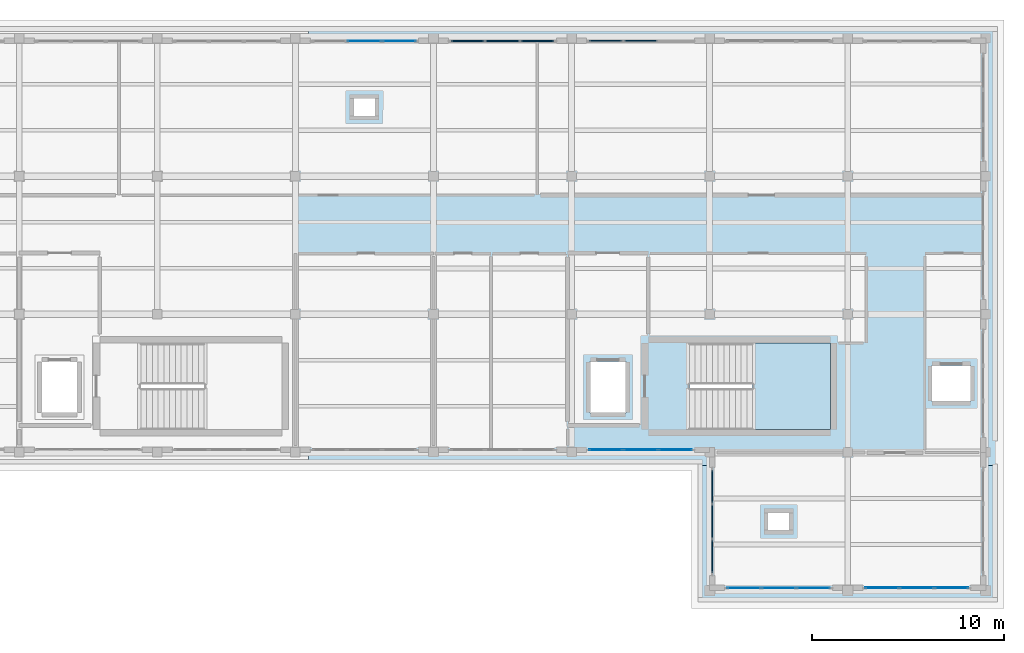
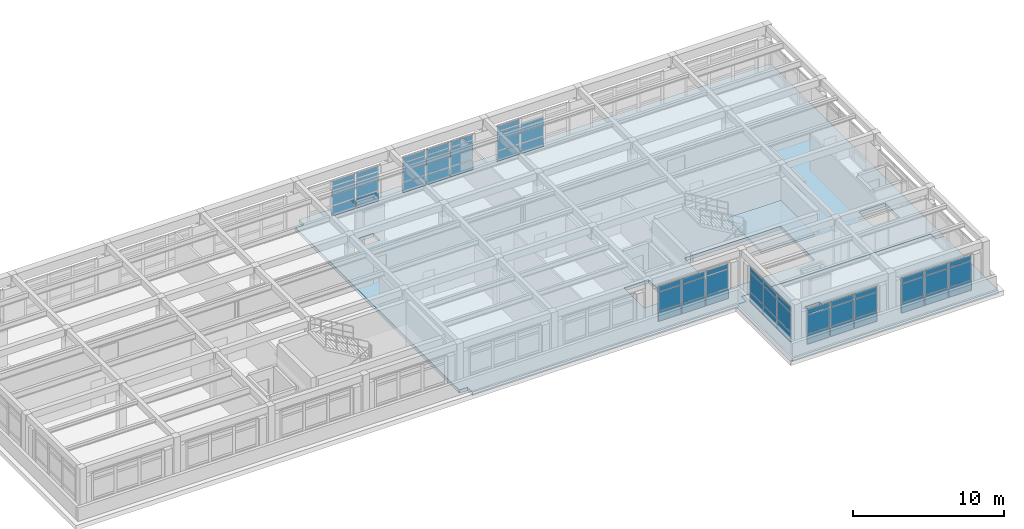
# One storey, part 13 of 20: 56 plates, 3 slabs, 8 elements without a shape of their own.
"""IFC4 building model written with IfcOpenShell, lengths in metres."""

import ifcopenshell
import ifcopenshell.guid

model = None  # the IFC model being written
_history = None  # IfcOwnerHistory: only IFC2X3 demands one
_inside = {}  # id of a spatial element -> (the spatial element, [elements in it])
_under = {}  # id of a project, library or spatial element -> (it, [spatial elements below it])
_declared = {}  # id of a project -> (the project, [libraries it declares])
_typed = {}  # id of a type object -> (the type object, [elements of that type])
_made_of = {}  # id of a material, layer set ... -> (it, [elements and type objects made of it])


def new_model(schema):
    """Start an empty IFC model of exactly this schema.

    Asked for "IFC4X3", IfcOpenShell would pick the latest addendum, in which some entities
    have other attributes; the version numbers below select the first issue.
    IFC2X3 requires an IfcOwnerHistory on every rooted entity: one is made here for all.
    """
    global model, _history
    if schema == "IFC4X3":
        model = ifcopenshell.file(schema_version=(4, 3, 0, 0))
    else:
        model = ifcopenshell.file(schema=schema)
    _inside.clear()
    _under.clear()
    _declared.clear()
    _typed.clear()
    _made_of.clear()
    _history = None
    if model.schema == "IFC2X3":
        org = make("IfcOrganization", Name="unknown")
        user = make(
            "IfcPersonAndOrganization",
            ThePerson=make("IfcPerson", FamilyName="unknown"),
            TheOrganization=org,
        )
        app = make(
            "IfcApplication",
            ApplicationDeveloper=org,
            Version="unknown",
            ApplicationFullName="unknown",
            ApplicationIdentifier="unknown",
        )
        _history = make(
            "IfcOwnerHistory",
            OwningUser=user,
            OwningApplication=app,
            ChangeAction="ADDED",
            CreationDate=0,
        )
    return model


def make(cls, **values):
    """One entity of the class cls with the attributes given. An attribute that is None is left unset."""
    return model.create_entity(
        cls, **{name: value for name, value in values.items() if value is not None}
    )


def rooted(cls, **values):
    """An entity with a GlobalId (a new one), such as an element, a storey or a relation."""
    return make(cls, GlobalId=ifcopenshell.guid.new(), OwnerHistory=_history, **values)


def si_unit(unit_type, name, prefix=None):
    """IfcSIUnit, for example si_unit("LENGTHUNIT", "METRE", prefix="MILLI")."""
    return make("IfcSIUnit", UnitType=unit_type, Prefix=prefix, Name=name)


def assignment(units):
    """IfcUnitAssignment: the units of a project."""
    return None if units is None else make("IfcUnitAssignment", Units=units)


def point(xyz):
    """IfcCartesianPoint."""
    return None if xyz is None else make("IfcCartesianPoint", Coordinates=xyz)


def direction(xyz):
    """IfcDirection."""
    return None if xyz is None else make("IfcDirection", DirectionRatios=xyz)


def frame(location, z_axis=None, x_axis=None):
    """IfcAxis2Placement3D, a coordinate frame: its origin and axes. An axis left out is left unset."""
    return make(
        "IfcAxis2Placement3D",
        Location=point(location),
        Axis=direction(z_axis),
        RefDirection=direction(x_axis),
    )


def frame_2d(location, x_axis=None):
    """IfcAxis2Placement2D, a coordinate frame in the plane: its origin and x axis."""
    return make(
        "IfcAxis2Placement2D", Location=point(location), RefDirection=direction(x_axis)
    )


def origin():
    """The frame at (0, 0, 0) with its axes left unset."""
    return frame((0.0, 0.0, 0.0))


def origin_2d():
    """The frame at (0, 0) in the plane with its x axis left unset."""
    return frame_2d((0.0, 0.0))


def place(relative_to, where):
    """IfcLocalPlacement: puts the frame where relative to a parent placement (None: the world)."""
    return make(
        "IfcLocalPlacement", PlacementRelTo=relative_to, RelativePlacement=where
    )


def context(
    kind, dimensions, precision=None, world=None, true_north=None, identifier=None
):
    """IfcGeometricRepresentationContext, for example the 3D "Model" context."""
    return make(
        "IfcGeometricRepresentationContext",
        ContextIdentifier=identifier,
        ContextType=kind,
        CoordinateSpaceDimension=dimensions,
        Precision=precision,
        WorldCoordinateSystem=world,
        TrueNorth=true_north,
    )


def subcontext(parent, identifier, kind, view, scale=None):
    """IfcGeometricRepresentationSubContext, for example "Body" below "Model"."""
    return make(
        "IfcGeometricRepresentationSubContext",
        ContextIdentifier=identifier,
        ContextType=kind,
        ParentContext=parent,
        TargetScale=scale,
        TargetView=view,
    )


def project(units=None, contexts=None):
    """IfcProject with its units and contexts."""
    return rooted(
        "IfcProject",
        Name="project",
        RepresentationContexts=contexts,
        UnitsInContext=assignment(units),
    )


def spatial(cls, under=None, at=None, **own):
    """A site, building, storey or space (cls), placed at a placement, below another one or the project."""
    s = rooted(cls, ObjectPlacement=at, **own)
    if under is not None:
        _under.setdefault(under.id(), (under, []))[1].append(s)
    return s


def polyline(points):
    """IfcPolyline through the points."""
    return make("IfcPolyline", Points=[point(p) for p in points])


def profile(cls, at=None, kind="AREA", **sizes):
    """A parametric profile (cls). Its sizes go by their IFC names, for example OverallWidth=200.0."""
    return make(cls, ProfileType=kind, Position=at, **sizes)


def rectangle(**sizes):
    """IfcRectangleProfileDef."""
    return profile("IfcRectangleProfileDef", **sizes)


def outline(outer, holes=None, kind="AREA"):
    """IfcArbitraryClosedProfileDef: a profile drawn as a closed curve; with holes, ...WithVoids."""
    if holes is None:
        return make("IfcArbitraryClosedProfileDef", ProfileType=kind, OuterCurve=outer)
    return make(
        "IfcArbitraryProfileDefWithVoids",
        ProfileType=kind,
        OuterCurve=outer,
        InnerCurves=holes,
    )


def extrude(swept, where, along, depth):
    """IfcExtrudedAreaSolid: the profile swept, set in the frame where, extruded along a direction by depth."""
    return make(
        "IfcExtrudedAreaSolid",
        SweptArea=swept,
        Position=where,
        ExtrudedDirection=direction(along),
        Depth=depth,
    )


def shape(context_of_items, identifier, shape_type, items):
    """IfcShapeRepresentation: the items that make up one representation, for example the "Body"."""
    return make(
        "IfcShapeRepresentation",
        ContextOfItems=context_of_items,
        RepresentationIdentifier=identifier,
        RepresentationType=shape_type,
        Items=items,
    )


def material(Name=None, Category=None):
    """IfcMaterial."""
    return make("IfcMaterial", Name=Name, Category=Category)


def layer(
    of_material, thickness, ventilated=None, Name=None, Category=None, Priority=None
):
    """IfcMaterialLayer: one layer of a wall or slab, of a material (None: an air gap)."""
    return make(
        "IfcMaterialLayer",
        Material=of_material,
        LayerThickness=thickness,
        IsVentilated=ventilated,
        Name=Name,
        Category=Category,
        Priority=Priority,
    )


def layer_set(layers, Name=None):
    """IfcMaterialLayerSet."""
    return make("IfcMaterialLayerSet", MaterialLayers=layers, LayerSetName=Name)


def made_of(thing, what):
    """Note that an element or type object is made of a material, layer set ...; save() writes the relation."""
    if what is not None:
        _made_of.setdefault(what.id(), (what, []))[1].append(thing)
    return thing


def type_object(cls, material=None, **own):
    """A type object (cls), such as IfcWallType, which elements share."""
    return made_of(rooted(cls, **own), material)


def element(
    cls,
    number,
    at=None,
    inside=None,
    cuts=None,
    type_object=None,
    material=None,
    context=None,
    identifier="Body",
    shape_type=None,
    held_by="IfcProductDefinitionShape",
    body=None,
    shapes=None,
    **own,
):
    """One element of the class cls, such as IfcWall. Its Tag is "e" and its number.

    at: its placement. inside: the storey or other place that contains it. cuts: it is an
    opening in that element (IfcRelVoidsElement). A single representation is given by context,
    identifier, shape_type and body (its items); several are given by shapes. held_by: the class
    of the entity that holds the representations. save() writes the other relations.
    """
    e = rooted(cls, Tag="e%d" % number, ObjectPlacement=at, **own)
    if body is not None:
        shapes = [shape(context, identifier, shape_type, body)]
    if shapes is not None:
        e.Representation = make(held_by, Representations=shapes)
    if inside is not None:
        _inside.setdefault(inside.id(), (inside, []))[1].append(e)
    if cuts is not None:
        rooted(
            "IfcRelVoidsElement", RelatingBuildingElement=cuts, RelatedOpeningElement=e
        )
    if type_object is not None:
        _typed.setdefault(type_object.id(), (type_object, []))[1].append(e)
    return made_of(e, material)


def aggregate(whole, parts):
    """IfcRelAggregates: a whole, such as a stair, and the parts it consists of."""
    return rooted("IfcRelAggregates", RelatingObject=whole, RelatedObjects=parts)


def save(model, path):
    """Write the relations noted so far, then the file.

    IfcRelAggregates (storeys below a building ...), IfcRelContainedInSpatialStructure (elements
    in a storey), IfcRelDefinesByType, IfcRelAssociatesMaterial and IfcRelDeclares: one each for
    every whole, place, type object, material and project.
    """
    for whole, parts in _under.values():
        aggregate(whole, parts)
    for where, things in _inside.values():
        rooted(
            "IfcRelContainedInSpatialStructure",
            RelatedElements=things,
            RelatingStructure=where,
        )
    for kind, things in _typed.values():
        rooted("IfcRelDefinesByType", RelatedObjects=things, RelatingType=kind)
    for what, things in _made_of.values():
        rooted("IfcRelAssociatesMaterial", RelatedObjects=things, RelatingMaterial=what)
    for by, libraries in _declared.values():
        rooted("IfcRelDeclares", RelatingContext=by, RelatedDefinitions=libraries)
    model.write(path)


model = new_model("IFC4")

# Units and contexts
model_context = context("Model", 3, precision=1e-05, world=origin(), true_north=direction((0.0, 1.0)))
body_context = subcontext(model_context, "Body", "Model", "MODEL_VIEW")
ifc_project = project(units=[si_unit("LENGTHUNIT", "METRE"), si_unit("AREAUNIT", "SQUARE_METRE"), si_unit("VOLUMEUNIT", "CUBIC_METRE"), si_unit("PLANEANGLEUNIT", "RADIAN"), si_unit("MASSUNIT", "GRAM", prefix="KILO")], contexts=[model_context])

# Site, building, storey
site_placement = place(None, origin())
site = spatial("IfcSite", under=ifc_project, at=site_placement, CompositionType="ELEMENT")
building_placement = place(site_placement, origin())
building = spatial("IfcBuilding", under=site, at=building_placement, Name="Solenvale Faculty of Natural Sciences", CompositionType="ELEMENT")
storey_placement = place(building_placement, frame((0.0, 0.0, 35.39990234375)))
storey = spatial("IfcBuildingStorey", under=building, at=storey_placement, Name="L08", CompositionType="ELEMENT", Elevation=35.39990234375)

# Curtain wall, plates
ifc_material_1 = material(Name="Anodised bronze aluminium", Category="aluminium")
ifc_layer_1 = layer(ifc_material_1, 0.179931640625)
ifc_layer_set_1 = layer_set([ifc_layer_1], Name="Anodised bronze aluminium")
curtain_wall_type = type_object("IfcCurtainWallType", Name="CW-TWR-MOD", PredefinedType="USERDEFINED", material=ifc_layer_set_1)
curtain_wall_1_placement = place(storey_placement, origin())
curtain_wall_1 = element("IfcCurtainWall", 1, at=curtain_wall_1_placement, inside=storey, type_object=curtain_wall_type, Name="L08 Curtain Wall CW-L08-P1-E2-B5", ObjectType="UNITISED CURTAIN WALL", PredefinedType="USERDEFINED")
ifc_material_2 = material(Name="North-light skylight glass", Category="glass")
ifc_layer_2 = layer(ifc_material_2, 0.028076171875)
ifc_layer_set_2 = layer_set([ifc_layer_2], Name="North-light skylight glass")
plate_type_1 = type_object("IfcPlateType", Name="CWP-PNL-28", PredefinedType="CURTAIN_PANEL", material=ifc_layer_set_2)
plate_1_placement = place(storey_placement, frame((120.614501953125, 115.0576171875, 0.074951171875), z_axis=(0.0, 0.0, 1.0), x_axis=(-1.0, 0.0, 0.0)))
plate_1 = element("IfcPlate", 2, at=plate_1_placement, type_object=plate_type_1, Name="CW-04 panel 1.1", PredefinedType="CURTAIN_PANEL", context=body_context, shape_type="SweptSolid", body=[
    extrude(rectangle(XDim=1.720947265625, YDim=0.028076171875, at=origin_2d()), origin(), (0.0, 0.0, 1.0), 0.78759765625),
])
plate_2_placement = place(storey_placement, frame((120.614501953125, 115.0576171875, 0.9375), z_axis=(0.0, 0.0, 1.0), x_axis=(-1.0, 0.0, 0.0)))
plate_2 = element("IfcPlate", 3, at=plate_2_placement, type_object=plate_type_1, Name="CW-04 panel 1.2", PredefinedType="CURTAIN_PANEL", context=body_context, shape_type="SweptSolid", body=[
    extrude(rectangle(XDim=1.720947265625, YDim=0.028076171875, at=origin_2d()), origin(), (0.0, 0.0, 1.0), 1.485107421875),
])
plate_3_placement = place(storey_placement, frame((120.614501953125, 115.0576171875, 2.49755859375), z_axis=(0.0, 0.0, 1.0), x_axis=(-1.0, 0.0, 0.0)))
plate_3 = element("IfcPlate", 4, at=plate_3_placement, type_object=plate_type_1, Name="CW-04 panel 1.3", PredefinedType="CURTAIN_PANEL", context=body_context, shape_type="SweptSolid", body=[
    extrude(rectangle(XDim=1.720947265625, YDim=0.028076171875, at=origin_2d()), origin(), (0.0, 0.0, 1.0), 0.387451171875),
])
plate_4_placement = place(storey_placement, frame((118.800048828125, 115.0576171875, 0.074951171875), z_axis=(0.0, 0.0, 1.0), x_axis=(-1.0, 0.0, 0.0)))
plate_4 = element("IfcPlate", 5, at=plate_4_placement, type_object=plate_type_1, Name="CW-04 panel 2.1", PredefinedType="CURTAIN_PANEL", context=body_context, shape_type="SweptSolid", body=[
    extrude(rectangle(XDim=1.75830078125, YDim=0.028076171875, at=origin_2d()), origin(), (0.0, 0.0, 1.0), 0.78759765625),
])
plate_5_placement = place(storey_placement, frame((118.800048828125, 115.0576171875, 0.9375), z_axis=(0.0, 0.0, 1.0), x_axis=(-1.0, 0.0, 0.0)))
plate_5 = element("IfcPlate", 6, at=plate_5_placement, type_object=plate_type_1, Name="CW-04 panel 2.2", PredefinedType="CURTAIN_PANEL", context=body_context, shape_type="SweptSolid", body=[
    extrude(rectangle(XDim=1.75830078125, YDim=0.028076171875, at=origin_2d()), origin(), (0.0, 0.0, 1.0), 1.485107421875),
])
plate_6_placement = place(storey_placement, frame((118.800048828125, 115.0576171875, 2.49755859375), z_axis=(0.0, 0.0, 1.0), x_axis=(-1.0, 0.0, 0.0)))
plate_6 = element("IfcPlate", 7, at=plate_6_placement, type_object=plate_type_1, Name="CW-04 panel 2.3", PredefinedType="CURTAIN_PANEL", context=body_context, shape_type="SweptSolid", body=[
    extrude(rectangle(XDim=1.75830078125, YDim=0.028076171875, at=origin_2d()), origin(), (0.0, 0.0, 1.0), 0.387451171875),
])
aggregate(curtain_wall_1, [plate_1, plate_2, plate_3, plate_4, plate_5, plate_6])

curtain_wall_2_placement = place(storey_placement, origin())
curtain_wall_2 = element("IfcCurtainWall", 8, at=curtain_wall_2_placement, inside=storey, type_object=curtain_wall_type, Name="L08 Curtain Wall CW-L08-P1-E6-B1", ObjectType="UNITISED CURTAIN WALL", PredefinedType="USERDEFINED")
plate_7_placement = place(storey_placement, frame((138.58544921875, 86.54248046875, 0.074951171875), z_axis=(0.0, 0.0, 1.0), x_axis=(1.0, 0.0, 0.0)))
plate_7 = element("IfcPlate", 9, at=plate_7_placement, type_object=plate_type_1, Name="CW-04 panel 1.1", PredefinedType="CURTAIN_PANEL", context=body_context, shape_type="SweptSolid", body=[
    extrude(rectangle(XDim=1.720947265625, YDim=0.028076171875, at=origin_2d()), origin(), (0.0, 0.0, 1.0), 0.78759765625),
])
plate_8_placement = place(storey_placement, frame((138.58544921875, 86.54248046875, 0.9375), z_axis=(0.0, 0.0, 1.0), x_axis=(1.0, 0.0, 0.0)))
plate_8 = element("IfcPlate", 10, at=plate_8_placement, type_object=plate_type_1, Name="CW-04 panel 1.2", PredefinedType="CURTAIN_PANEL", context=body_context, shape_type="SweptSolid", body=[
    extrude(rectangle(XDim=1.720947265625, YDim=0.028076171875, at=origin_2d()), origin(), (0.0, 0.0, 1.0), 1.485107421875),
])
plate_9_placement = place(storey_placement, frame((138.58544921875, 86.54248046875, 2.49755859375), z_axis=(0.0, 0.0, 1.0), x_axis=(1.0, 0.0, 0.0)))
plate_9 = element("IfcPlate", 11, at=plate_9_placement, type_object=plate_type_1, Name="CW-04 panel 1.3", PredefinedType="CURTAIN_PANEL", context=body_context, shape_type="SweptSolid", body=[
    extrude(rectangle(XDim=1.720947265625, YDim=0.028076171875, at=origin_2d()), origin(), (0.0, 0.0, 1.0), 0.387451171875),
])
plate_10_placement = place(storey_placement, frame((140.39990234375, 86.54248046875, 0.074951171875), z_axis=(0.0, 0.0, 1.0), x_axis=(1.0, 0.0, 0.0)))
plate_10 = element("IfcPlate", 12, at=plate_10_placement, type_object=plate_type_1, Name="CW-04 panel 2.1", PredefinedType="CURTAIN_PANEL", context=body_context, shape_type="SweptSolid", body=[
    extrude(rectangle(XDim=1.75830078125, YDim=0.028076171875, at=origin_2d()), origin(), (0.0, 0.0, 1.0), 0.78759765625),
])
plate_11_placement = place(storey_placement, frame((140.39990234375, 86.54248046875, 0.9375), z_axis=(0.0, 0.0, 1.0), x_axis=(1.0, 0.0, 0.0)))
plate_11 = element("IfcPlate", 13, at=plate_11_placement, type_object=plate_type_1, Name="CW-04 panel 2.2", PredefinedType="CURTAIN_PANEL", context=body_context, shape_type="SweptSolid", body=[
    extrude(rectangle(XDim=1.75830078125, YDim=0.028076171875, at=origin_2d()), origin(), (0.0, 0.0, 1.0), 1.485107421875),
])
plate_12_placement = place(storey_placement, frame((140.39990234375, 86.54248046875, 2.49755859375), z_axis=(0.0, 0.0, 1.0), x_axis=(1.0, 0.0, 0.0)))
plate_12 = element("IfcPlate", 14, at=plate_12_placement, type_object=plate_type_1, Name="CW-04 panel 2.3", PredefinedType="CURTAIN_PANEL", context=body_context, shape_type="SweptSolid", body=[
    extrude(rectangle(XDim=1.75830078125, YDim=0.028076171875, at=origin_2d()), origin(), (0.0, 0.0, 1.0), 0.387451171875),
])
plate_13_placement = place(storey_placement, frame((142.214599609375, 86.54248046875, 0.074951171875), z_axis=(0.0, 0.0, 1.0), x_axis=(1.0, 0.0, 0.0)))
plate_13 = element("IfcPlate", 15, at=plate_13_placement, type_object=plate_type_1, Name="CW-04 panel 3.1", PredefinedType="CURTAIN_PANEL", context=body_context, shape_type="SweptSolid", body=[
    extrude(rectangle(XDim=1.720947265625, YDim=0.028076171875, at=origin_2d()), origin(), (0.0, 0.0, 1.0), 0.78759765625),
])
plate_14_placement = place(storey_placement, frame((142.214599609375, 86.54248046875, 0.9375), z_axis=(0.0, 0.0, 1.0), x_axis=(1.0, 0.0, 0.0)))
plate_14 = element("IfcPlate", 16, at=plate_14_placement, type_object=plate_type_1, Name="CW-04 panel 3.2", PredefinedType="CURTAIN_PANEL", context=body_context, shape_type="SweptSolid", body=[
    extrude(rectangle(XDim=1.720947265625, YDim=0.028076171875, at=origin_2d()), origin(), (0.0, 0.0, 1.0), 1.485107421875),
])
plate_15_placement = place(storey_placement, frame((142.214599609375, 86.54248046875, 2.49755859375), z_axis=(0.0, 0.0, 1.0), x_axis=(1.0, 0.0, 0.0)))
plate_15 = element("IfcPlate", 17, at=plate_15_placement, type_object=plate_type_1, Name="CW-04 panel 3.3", PredefinedType="CURTAIN_PANEL", context=body_context, shape_type="SweptSolid", body=[
    extrude(rectangle(XDim=1.720947265625, YDim=0.028076171875, at=origin_2d()), origin(), (0.0, 0.0, 1.0), 0.387451171875),
])
aggregate(curtain_wall_2, [plate_7, plate_8, plate_9, plate_10, plate_11, plate_12, plate_13, plate_14, plate_15])

curtain_wall_3_placement = place(storey_placement, origin())
curtain_wall_3 = element("IfcCurtainWall", 18, at=curtain_wall_3_placement, inside=storey, type_object=curtain_wall_type, Name="L08 Curtain Wall CW-L08-P1-E6-B2", ObjectType="UNITISED CURTAIN WALL", PredefinedType="USERDEFINED")
ifc_material_3 = material(Name="Triple low-E insulated glass", Category="glass")
ifc_layer_3 = layer(ifc_material_3, 0.031982421875)
ifc_layer_set_3 = layer_set([ifc_layer_3], Name="Triple low-E insulated glass")
plate_type_2 = type_object("IfcPlateType", Name="CWP-PNL-32", PredefinedType="CURTAIN_PANEL", material=ifc_layer_set_3)
plate_16_placement = place(storey_placement, frame((145.785400390625, 86.54248046875, 0.074951171875), z_axis=(0.0, 0.0, 1.0), x_axis=(1.0, 0.0, 0.0)))
plate_16 = element("IfcPlate", 19, at=plate_16_placement, type_object=plate_type_2, Name="CW-04 panel 1.1", PredefinedType="CURTAIN_PANEL", context=body_context, shape_type="SweptSolid", body=[
    extrude(rectangle(XDim=1.720947265625, YDim=0.031982421875, at=origin_2d()), origin(), (0.0, 0.0, 1.0), 0.78759765625),
])
plate_17_placement = place(storey_placement, frame((145.785400390625, 86.54248046875, 0.9375), z_axis=(0.0, 0.0, 1.0), x_axis=(1.0, 0.0, 0.0)))
plate_17 = element("IfcPlate", 20, at=plate_17_placement, type_object=plate_type_2, Name="CW-04 panel 1.2", PredefinedType="CURTAIN_PANEL", context=body_context, shape_type="SweptSolid", body=[
    extrude(rectangle(XDim=1.720947265625, YDim=0.031982421875, at=origin_2d()), origin(), (0.0, 0.0, 1.0), 1.485107421875),
])
plate_18_placement = place(storey_placement, frame((145.785400390625, 86.54248046875, 2.49755859375), z_axis=(0.0, 0.0, 1.0), x_axis=(1.0, 0.0, 0.0)))
plate_18 = element("IfcPlate", 21, at=plate_18_placement, type_object=plate_type_2, Name="CW-04 panel 1.3", PredefinedType="CURTAIN_PANEL", context=body_context, shape_type="SweptSolid", body=[
    extrude(rectangle(XDim=1.720947265625, YDim=0.031982421875, at=origin_2d()), origin(), (0.0, 0.0, 1.0), 0.387451171875),
])
plate_19_placement = place(storey_placement, frame((147.60009765625, 86.54248046875, 0.074951171875), z_axis=(0.0, 0.0, 1.0), x_axis=(1.0, 0.0, 0.0)))
plate_19 = element("IfcPlate", 22, at=plate_19_placement, type_object=plate_type_2, Name="CW-04 panel 2.1", PredefinedType="CURTAIN_PANEL", context=body_context, shape_type="SweptSolid", body=[
    extrude(rectangle(XDim=1.75830078125, YDim=0.031982421875, at=origin_2d()), origin(), (0.0, 0.0, 1.0), 0.78759765625),
])
plate_20_placement = place(storey_placement, frame((147.60009765625, 86.54248046875, 0.9375), z_axis=(0.0, 0.0, 1.0), x_axis=(1.0, 0.0, 0.0)))
plate_20 = element("IfcPlate", 23, at=plate_20_placement, type_object=plate_type_2, Name="CW-04 panel 2.2", PredefinedType="CURTAIN_PANEL", context=body_context, shape_type="SweptSolid", body=[
    extrude(rectangle(XDim=1.75830078125, YDim=0.031982421875, at=origin_2d()), origin(), (0.0, 0.0, 1.0), 1.485107421875),
])
plate_21_placement = place(storey_placement, frame((147.60009765625, 86.54248046875, 2.49755859375), z_axis=(0.0, 0.0, 1.0), x_axis=(1.0, 0.0, 0.0)))
plate_21 = element("IfcPlate", 24, at=plate_21_placement, type_object=plate_type_2, Name="CW-04 panel 2.3", PredefinedType="CURTAIN_PANEL", context=body_context, shape_type="SweptSolid", body=[
    extrude(rectangle(XDim=1.75830078125, YDim=0.031982421875, at=origin_2d()), origin(), (0.0, 0.0, 1.0), 0.387451171875),
])
plate_22_placement = place(storey_placement, frame((149.41455078125, 86.54248046875, 0.074951171875), z_axis=(0.0, 0.0, 1.0), x_axis=(1.0, 0.0, 0.0)))
plate_22 = element("IfcPlate", 25, at=plate_22_placement, type_object=plate_type_2, Name="CW-04 panel 3.1", PredefinedType="CURTAIN_PANEL", context=body_context, shape_type="SweptSolid", body=[
    extrude(rectangle(XDim=1.720947265625, YDim=0.031982421875, at=origin_2d()), origin(), (0.0, 0.0, 1.0), 0.78759765625),
])
plate_23_placement = place(storey_placement, frame((149.41455078125, 86.54248046875, 0.9375), z_axis=(0.0, 0.0, 1.0), x_axis=(1.0, 0.0, 0.0)))
plate_23 = element("IfcPlate", 26, at=plate_23_placement, type_object=plate_type_2, Name="CW-04 panel 3.2", PredefinedType="CURTAIN_PANEL", context=body_context, shape_type="SweptSolid", body=[
    extrude(rectangle(XDim=1.720947265625, YDim=0.031982421875, at=origin_2d()), origin(), (0.0, 0.0, 1.0), 1.485107421875),
])
plate_24_placement = place(storey_placement, frame((149.41455078125, 86.54248046875, 2.49755859375), z_axis=(0.0, 0.0, 1.0), x_axis=(1.0, 0.0, 0.0)))
plate_24 = element("IfcPlate", 27, at=plate_24_placement, type_object=plate_type_2, Name="CW-04 panel 3.3", PredefinedType="CURTAIN_PANEL", context=body_context, shape_type="SweptSolid", body=[
    extrude(rectangle(XDim=1.720947265625, YDim=0.031982421875, at=origin_2d()), origin(), (0.0, 0.0, 1.0), 0.387451171875),
])
aggregate(curtain_wall_3, [plate_16, plate_17, plate_18, plate_19, plate_20, plate_21, plate_22, plate_23, plate_24])

curtain_wall_4_placement = place(storey_placement, origin())
curtain_wall_4 = element("IfcCurtainWall", 28, at=curtain_wall_4_placement, inside=storey, type_object=curtain_wall_type, Name="L08 Curtain Wall CW-L08-P1-E4-B7", ObjectType="UNITISED CURTAIN WALL", PredefinedType="USERDEFINED")
ifc_layer_4 = layer(ifc_material_3, 0.0439453125)
ifc_layer_set_4 = layer_set([ifc_layer_4], Name="Triple low-E insulated glass")
plate_type_3 = type_object("IfcPlateType", Name="CWP-PNL-44", PredefinedType="CURTAIN_PANEL", material=ifc_layer_set_4)
plate_25_placement = place(storey_placement, frame((131.385498046875, 93.742431640625, 0.074951171875), z_axis=(0.0, 0.0, 1.0), x_axis=(1.0, 0.0, 0.0)))
plate_25 = element("IfcPlate", 29, at=plate_25_placement, type_object=plate_type_3, Name="CW-04 panel 1.1", PredefinedType="CURTAIN_PANEL", context=body_context, shape_type="SweptSolid", body=[
    extrude(rectangle(XDim=1.720947265625, YDim=0.0439453125, at=origin_2d()), origin(), (0.0, 0.0, 1.0), 0.78759765625),
])
plate_26_placement = place(storey_placement, frame((131.385498046875, 93.742431640625, 0.9375), z_axis=(0.0, 0.0, 1.0), x_axis=(1.0, 0.0, 0.0)))
plate_26 = element("IfcPlate", 30, at=plate_26_placement, type_object=plate_type_3, Name="CW-04 panel 1.2", PredefinedType="CURTAIN_PANEL", context=body_context, shape_type="SweptSolid", body=[
    extrude(rectangle(XDim=1.720947265625, YDim=0.0439453125, at=origin_2d()), origin(), (0.0, 0.0, 1.0), 1.485107421875),
])
plate_27_placement = place(storey_placement, frame((131.385498046875, 93.742431640625, 2.49755859375), z_axis=(0.0, 0.0, 1.0), x_axis=(1.0, 0.0, 0.0)))
plate_27 = element("IfcPlate", 31, at=plate_27_placement, type_object=plate_type_3, Name="CW-04 panel 1.3", PredefinedType="CURTAIN_PANEL", context=body_context, shape_type="SweptSolid", body=[
    extrude(rectangle(XDim=1.720947265625, YDim=0.0439453125, at=origin_2d()), origin(), (0.0, 0.0, 1.0), 0.387451171875),
])
plate_28_placement = place(storey_placement, frame((133.199951171875, 93.742431640625, 0.074951171875), z_axis=(0.0, 0.0, 1.0), x_axis=(1.0, 0.0, 0.0)))
plate_28 = element("IfcPlate", 32, at=plate_28_placement, type_object=plate_type_3, Name="CW-04 panel 2.1", PredefinedType="CURTAIN_PANEL", context=body_context, shape_type="SweptSolid", body=[
    extrude(rectangle(XDim=1.75830078125, YDim=0.0439453125, at=origin_2d()), origin(), (0.0, 0.0, 1.0), 0.78759765625),
])
plate_29_placement = place(storey_placement, frame((133.199951171875, 93.742431640625, 0.9375), z_axis=(0.0, 0.0, 1.0), x_axis=(1.0, 0.0, 0.0)))
plate_29 = element("IfcPlate", 33, at=plate_29_placement, type_object=plate_type_3, Name="CW-04 panel 2.2", PredefinedType="CURTAIN_PANEL", context=body_context, shape_type="SweptSolid", body=[
    extrude(rectangle(XDim=1.75830078125, YDim=0.0439453125, at=origin_2d()), origin(), (0.0, 0.0, 1.0), 1.485107421875),
])
plate_30_placement = place(storey_placement, frame((133.199951171875, 93.742431640625, 2.49755859375), z_axis=(0.0, 0.0, 1.0), x_axis=(1.0, 0.0, 0.0)))
plate_30 = element("IfcPlate", 34, at=plate_30_placement, type_object=plate_type_3, Name="CW-04 panel 2.3", PredefinedType="CURTAIN_PANEL", context=body_context, shape_type="SweptSolid", body=[
    extrude(rectangle(XDim=1.75830078125, YDim=0.0439453125, at=origin_2d()), origin(), (0.0, 0.0, 1.0), 0.387451171875),
])
plate_31_placement = place(storey_placement, frame((135.0146484375, 93.742431640625, 0.074951171875), z_axis=(0.0, 0.0, 1.0), x_axis=(1.0, 0.0, 0.0)))
plate_31 = element("IfcPlate", 35, at=plate_31_placement, type_object=plate_type_3, Name="CW-04 panel 3.1", PredefinedType="CURTAIN_PANEL", context=body_context, shape_type="SweptSolid", body=[
    extrude(rectangle(XDim=1.720947265625, YDim=0.0439453125, at=origin_2d()), origin(), (0.0, 0.0, 1.0), 0.78759765625),
])
plate_32_placement = place(storey_placement, frame((135.0146484375, 93.742431640625, 0.9375), z_axis=(0.0, 0.0, 1.0), x_axis=(1.0, 0.0, 0.0)))
plate_32 = element("IfcPlate", 36, at=plate_32_placement, type_object=plate_type_3, Name="CW-04 panel 3.2", PredefinedType="CURTAIN_PANEL", context=body_context, shape_type="SweptSolid", body=[
    extrude(rectangle(XDim=1.720947265625, YDim=0.0439453125, at=origin_2d()), origin(), (0.0, 0.0, 1.0), 1.485107421875),
])
plate_33_placement = place(storey_placement, frame((135.0146484375, 93.742431640625, 2.49755859375), z_axis=(0.0, 0.0, 1.0), x_axis=(1.0, 0.0, 0.0)))
plate_33 = element("IfcPlate", 37, at=plate_33_placement, type_object=plate_type_3, Name="CW-04 panel 3.3", PredefinedType="CURTAIN_PANEL", context=body_context, shape_type="SweptSolid", body=[
    extrude(rectangle(XDim=1.720947265625, YDim=0.0439453125, at=origin_2d()), origin(), (0.0, 0.0, 1.0), 0.387451171875),
])
aggregate(curtain_wall_4, [plate_25, plate_26, plate_27, plate_28, plate_29, plate_30, plate_31, plate_32, plate_33])

curtain_wall_5_placement = place(storey_placement, origin())
curtain_wall_5 = element("IfcCurtainWall", 38, at=curtain_wall_5_placement, inside=storey, type_object=curtain_wall_type, Name="L08 Curtain Wall CW-L08-P1-E2-B3", ObjectType="UNITISED CURTAIN WALL", PredefinedType="USERDEFINED")
ifc_layer_5 = layer(ifc_material_1, 0.053955078125)
ifc_layer_set_5 = layer_set([ifc_layer_5], Name="Anodised bronze aluminium")
plate_type_4 = type_object("IfcPlateType", Name="CWP-PNL-54", PredefinedType="CURTAIN_PANEL", material=ifc_layer_set_5)
plate_34_placement = place(storey_placement, frame((133.199951171875, 115.0576171875, 0.074951171875), z_axis=(0.0, 0.0, 1.0), x_axis=(-1.0, 0.0, 0.0)))
plate_34 = element("IfcPlate", 39, at=plate_34_placement, type_object=plate_type_4, Name="CW-04 panel 2.1", PredefinedType="CURTAIN_PANEL", context=body_context, shape_type="SweptSolid", body=[
    extrude(rectangle(XDim=1.75830078125, YDim=0.053955078125, at=origin_2d()), origin(), (0.0, 0.0, 1.0), 0.78759765625),
])
plate_35_placement = place(storey_placement, frame((133.199951171875, 115.0576171875, 0.9375), z_axis=(0.0, 0.0, 1.0), x_axis=(-1.0, 0.0, 0.0)))
plate_35 = element("IfcPlate", 40, at=plate_35_placement, type_object=plate_type_4, Name="CW-04 panel 2.2", PredefinedType="CURTAIN_PANEL", context=body_context, shape_type="SweptSolid", body=[
    extrude(rectangle(XDim=1.75830078125, YDim=0.053955078125, at=origin_2d()), origin(), (0.0, 0.0, 1.0), 1.485107421875),
])
plate_36_placement = place(storey_placement, frame((131.385498046875, 115.0576171875, 0.074951171875), z_axis=(0.0, 0.0, 1.0), x_axis=(-1.0, 0.0, 0.0)))
plate_36 = element("IfcPlate", 41, at=plate_36_placement, type_object=plate_type_4, Name="CW-04 panel 3.1", PredefinedType="CURTAIN_PANEL", context=body_context, shape_type="SweptSolid", body=[
    extrude(rectangle(XDim=1.720947265625, YDim=0.053955078125, at=origin_2d()), origin(), (0.0, 0.0, 1.0), 0.78759765625),
])
plate_37_placement = place(storey_placement, frame((131.385498046875, 115.0576171875, 0.9375), z_axis=(0.0, 0.0, 1.0), x_axis=(-1.0, 0.0, 0.0)))
plate_37 = element("IfcPlate", 42, at=plate_37_placement, type_object=plate_type_4, Name="CW-04 panel 3.2", PredefinedType="CURTAIN_PANEL", context=body_context, shape_type="SweptSolid", body=[
    extrude(rectangle(XDim=1.720947265625, YDim=0.053955078125, at=origin_2d()), origin(), (0.0, 0.0, 1.0), 1.485107421875),
])
plate_38_placement = place(storey_placement, frame((131.385498046875, 115.0576171875, 2.49755859375), z_axis=(0.0, 0.0, 1.0), x_axis=(-1.0, 0.0, 0.0)))
plate_38 = element("IfcPlate", 43, at=plate_38_placement, type_object=plate_type_4, Name="CW-04 panel 3.3", PredefinedType="CURTAIN_PANEL", context=body_context, shape_type="SweptSolid", body=[
    extrude(rectangle(XDim=1.720947265625, YDim=0.053955078125, at=origin_2d()), origin(), (0.0, 0.0, 1.0), 0.387451171875),
])
aggregate(curtain_wall_5, [plate_34, plate_35, plate_36, plate_37, plate_38])

curtain_wall_6_placement = place(storey_placement, origin())
curtain_wall_6 = element("IfcCurtainWall", 44, at=curtain_wall_6_placement, inside=storey, type_object=curtain_wall_type, Name="L08 Curtain Wall CW-L08-P1-E2-B4", ObjectType="UNITISED CURTAIN WALL", PredefinedType="USERDEFINED")
ifc_layer_6 = layer(ifc_material_1, 0.06005859375)
ifc_layer_set_6 = layer_set([ifc_layer_6], Name="Anodised bronze aluminium")
plate_type_5 = type_object("IfcPlateType", Name="CWP-PNL-60", PredefinedType="CURTAIN_PANEL", material=ifc_layer_set_6)
plate_39_placement = place(storey_placement, frame((127.814697265625, 115.0576171875, 0.074951171875), z_axis=(0.0, 0.0, 1.0), x_axis=(-1.0, 0.0, 0.0)))
plate_39 = element("IfcPlate", 45, at=plate_39_placement, type_object=plate_type_5, Name="CW-04 panel 1.1", PredefinedType="CURTAIN_PANEL", context=body_context, shape_type="SweptSolid", body=[
    extrude(rectangle(XDim=1.720947265625, YDim=0.06005859375, at=origin_2d()), origin(), (0.0, 0.0, 1.0), 0.78759765625),
])
plate_40_placement = place(storey_placement, frame((127.814697265625, 115.0576171875, 0.9375), z_axis=(0.0, 0.0, 1.0), x_axis=(-1.0, 0.0, 0.0)))
plate_40 = element("IfcPlate", 46, at=plate_40_placement, type_object=plate_type_5, Name="CW-04 panel 1.2", PredefinedType="CURTAIN_PANEL", context=body_context, shape_type="SweptSolid", body=[
    extrude(rectangle(XDim=1.720947265625, YDim=0.06005859375, at=origin_2d()), origin(), (0.0, 0.0, 1.0), 1.485107421875),
])
plate_41_placement = place(storey_placement, frame((127.814697265625, 115.0576171875, 2.49755859375), z_axis=(0.0, 0.0, 1.0), x_axis=(-1.0, 0.0, 0.0)))
plate_41 = element("IfcPlate", 47, at=plate_41_placement, type_object=plate_type_5, Name="CW-04 panel 1.3", PredefinedType="CURTAIN_PANEL", context=body_context, shape_type="SweptSolid", body=[
    extrude(rectangle(XDim=1.720947265625, YDim=0.06005859375, at=origin_2d()), origin(), (0.0, 0.0, 1.0), 0.387451171875),
])
plate_42_placement = place(storey_placement, frame((126.0, 115.0576171875, 0.074951171875), z_axis=(0.0, 0.0, 1.0), x_axis=(-1.0, 0.0, 0.0)))
plate_42 = element("IfcPlate", 48, at=plate_42_placement, type_object=plate_type_5, Name="CW-04 panel 2.1", PredefinedType="CURTAIN_PANEL", context=body_context, shape_type="SweptSolid", body=[
    extrude(rectangle(XDim=1.75830078125, YDim=0.06005859375, at=origin_2d()), origin(), (0.0, 0.0, 1.0), 0.78759765625),
])
plate_43_placement = place(storey_placement, frame((126.0, 115.0576171875, 0.9375), z_axis=(0.0, 0.0, 1.0), x_axis=(-1.0, 0.0, 0.0)))
plate_43 = element("IfcPlate", 49, at=plate_43_placement, type_object=plate_type_5, Name="CW-04 panel 2.2", PredefinedType="CURTAIN_PANEL", context=body_context, shape_type="SweptSolid", body=[
    extrude(rectangle(XDim=1.75830078125, YDim=0.06005859375, at=origin_2d()), origin(), (0.0, 0.0, 1.0), 1.485107421875),
])
plate_44_placement = place(storey_placement, frame((126.0, 115.0576171875, 2.49755859375), z_axis=(0.0, 0.0, 1.0), x_axis=(-1.0, 0.0, 0.0)))
plate_44 = element("IfcPlate", 50, at=plate_44_placement, type_object=plate_type_5, Name="CW-04 panel 2.3", PredefinedType="CURTAIN_PANEL", context=body_context, shape_type="SweptSolid", body=[
    extrude(rectangle(XDim=1.75830078125, YDim=0.06005859375, at=origin_2d()), origin(), (0.0, 0.0, 1.0), 0.387451171875),
])
plate_45_placement = place(storey_placement, frame((124.185302734375, 115.0576171875, 0.074951171875), z_axis=(0.0, 0.0, 1.0), x_axis=(-1.0, 0.0, 0.0)))
plate_45 = element("IfcPlate", 51, at=plate_45_placement, type_object=plate_type_5, Name="CW-04 panel 3.1", PredefinedType="CURTAIN_PANEL", context=body_context, shape_type="SweptSolid", body=[
    extrude(rectangle(XDim=1.720947265625, YDim=0.06005859375, at=origin_2d()), origin(), (0.0, 0.0, 1.0), 0.78759765625),
])
plate_46_placement = place(storey_placement, frame((124.185302734375, 115.0576171875, 0.9375), z_axis=(0.0, 0.0, 1.0), x_axis=(-1.0, 0.0, 0.0)))
plate_46 = element("IfcPlate", 52, at=plate_46_placement, type_object=plate_type_5, Name="CW-04 panel 3.2", PredefinedType="CURTAIN_PANEL", context=body_context, shape_type="SweptSolid", body=[
    extrude(rectangle(XDim=1.720947265625, YDim=0.06005859375, at=origin_2d()), origin(), (0.0, 0.0, 1.0), 1.485107421875),
])
plate_47_placement = place(storey_placement, frame((124.185302734375, 115.0576171875, 2.49755859375), z_axis=(0.0, 0.0, 1.0), x_axis=(-1.0, 0.0, 0.0)))
plate_47 = element("IfcPlate", 53, at=plate_47_placement, type_object=plate_type_5, Name="CW-04 panel 3.3", PredefinedType="CURTAIN_PANEL", context=body_context, shape_type="SweptSolid", body=[
    extrude(rectangle(XDim=1.720947265625, YDim=0.06005859375, at=origin_2d()), origin(), (0.0, 0.0, 1.0), 0.387451171875),
])
aggregate(curtain_wall_6, [plate_39, plate_40, plate_41, plate_42, plate_43, plate_44, plate_45, plate_46, plate_47])

curtain_wall_7_placement = place(storey_placement, origin())
curtain_wall_7 = element("IfcCurtainWall", 54, at=curtain_wall_7_placement, inside=storey, type_object=curtain_wall_type, Name="L08 Curtain Wall CW-L08-P1-E5-B1", ObjectType="UNITISED CURTAIN WALL", PredefinedType="USERDEFINED")
plate_48_placement = place(storey_placement, frame((136.9423828125, 91.814697265625, 0.074951171875), z_axis=(0.0, 0.0, 1.0), x_axis=(0.0, -1.0, 0.0)))
plate_48 = element("IfcPlate", 55, at=plate_48_placement, type_object=plate_type_5, Name="CW-04 panel 1.1", PredefinedType="CURTAIN_PANEL", context=body_context, shape_type="SweptSolid", body=[
    extrude(rectangle(XDim=1.720947265625, YDim=0.06005859375, at=origin_2d()), origin(), (0.0, 0.0, 1.0), 0.78759765625),
])
plate_49_placement = place(storey_placement, frame((136.9423828125, 91.814697265625, 0.9375), z_axis=(0.0, 0.0, 1.0), x_axis=(0.0, -1.0, 0.0)))
plate_49 = element("IfcPlate", 56, at=plate_49_placement, type_object=plate_type_5, Name="CW-04 panel 1.2", PredefinedType="CURTAIN_PANEL", context=body_context, shape_type="SweptSolid", body=[
    extrude(rectangle(XDim=1.720947265625, YDim=0.06005859375, at=origin_2d()), origin(), (0.0, 0.0, 1.0), 1.485107421875),
])
plate_50_placement = place(storey_placement, frame((136.9423828125, 91.814697265625, 2.49755859375), z_axis=(0.0, 0.0, 1.0), x_axis=(0.0, -1.0, 0.0)))
plate_50 = element("IfcPlate", 57, at=plate_50_placement, type_object=plate_type_5, Name="CW-04 panel 1.3", PredefinedType="CURTAIN_PANEL", context=body_context, shape_type="SweptSolid", body=[
    extrude(rectangle(XDim=1.720947265625, YDim=0.06005859375, at=origin_2d()), origin(), (0.0, 0.0, 1.0), 0.387451171875),
])
plate_51_placement = place(storey_placement, frame((136.9423828125, 90.0, 0.074951171875), z_axis=(0.0, 0.0, 1.0), x_axis=(0.0, -1.0, 0.0)))
plate_51 = element("IfcPlate", 58, at=plate_51_placement, type_object=plate_type_5, Name="CW-04 panel 2.1", PredefinedType="CURTAIN_PANEL", context=body_context, shape_type="SweptSolid", body=[
    extrude(rectangle(XDim=1.75830078125, YDim=0.06005859375, at=origin_2d()), origin(), (0.0, 0.0, 1.0), 0.78759765625),
])
plate_52_placement = place(storey_placement, frame((136.9423828125, 90.0, 0.9375), z_axis=(0.0, 0.0, 1.0), x_axis=(0.0, -1.0, 0.0)))
plate_52 = element("IfcPlate", 59, at=plate_52_placement, type_object=plate_type_5, Name="CW-04 panel 2.2", PredefinedType="CURTAIN_PANEL", context=body_context, shape_type="SweptSolid", body=[
    extrude(rectangle(XDim=1.75830078125, YDim=0.06005859375, at=origin_2d()), origin(), (0.0, 0.0, 1.0), 1.485107421875),
])
plate_53_placement = place(storey_placement, frame((136.9423828125, 90.0, 2.49755859375), z_axis=(0.0, 0.0, 1.0), x_axis=(0.0, -1.0, 0.0)))
plate_53 = element("IfcPlate", 60, at=plate_53_placement, type_object=plate_type_5, Name="CW-04 panel 2.3", PredefinedType="CURTAIN_PANEL", context=body_context, shape_type="SweptSolid", body=[
    extrude(rectangle(XDim=1.75830078125, YDim=0.06005859375, at=origin_2d()), origin(), (0.0, 0.0, 1.0), 0.387451171875),
])
plate_54_placement = place(storey_placement, frame((136.9423828125, 88.185302734375, 0.074951171875), z_axis=(0.0, 0.0, 1.0), x_axis=(0.0, -1.0, 0.0)))
plate_54 = element("IfcPlate", 61, at=plate_54_placement, type_object=plate_type_5, Name="CW-04 panel 3.1", PredefinedType="CURTAIN_PANEL", context=body_context, shape_type="SweptSolid", body=[
    extrude(rectangle(XDim=1.720947265625, YDim=0.06005859375, at=origin_2d()), origin(), (0.0, 0.0, 1.0), 0.78759765625),
])
plate_55_placement = place(storey_placement, frame((136.9423828125, 88.185302734375, 0.9375), z_axis=(0.0, 0.0, 1.0), x_axis=(0.0, -1.0, 0.0)))
plate_55 = element("IfcPlate", 62, at=plate_55_placement, type_object=plate_type_5, Name="CW-04 panel 3.2", PredefinedType="CURTAIN_PANEL", context=body_context, shape_type="SweptSolid", body=[
    extrude(rectangle(XDim=1.720947265625, YDim=0.06005859375, at=origin_2d()), origin(), (0.0, 0.0, 1.0), 1.485107421875),
])
plate_56_placement = place(storey_placement, frame((136.9423828125, 88.185302734375, 2.49755859375), z_axis=(0.0, 0.0, 1.0), x_axis=(0.0, -1.0, 0.0)))
plate_56 = element("IfcPlate", 63, at=plate_56_placement, type_object=plate_type_5, Name="CW-04 panel 3.3", PredefinedType="CURTAIN_PANEL", context=body_context, shape_type="SweptSolid", body=[
    extrude(rectangle(XDim=1.720947265625, YDim=0.06005859375, at=origin_2d()), origin(), (0.0, 0.0, 1.0), 0.387451171875),
])
aggregate(curtain_wall_7, [plate_48, plate_49, plate_50, plate_51, plate_52, plate_53, plate_54, plate_55, plate_56])

# Slabs
ifc_material_4 = material(Name="Concrete 40 MPa", Category="concrete")
ifc_layer_7 = layer(ifc_material_4, 0.280029296875)
ifc_layer_set_7 = layer_set([ifc_layer_7], Name="Concrete 40 MPa")
slab_type_1 = type_object("IfcSlabType", Name="SL-FLR-280", PredefinedType="FLOOR", material=ifc_layer_set_7)
slab_1_placement = place(storey_placement, frame((0.0, 0.0, -0.27978515625)))
element("IfcSlab", 64, at=slab_1_placement, inside=storey, type_object=slab_type_1, Name="L08 V5 Floor Slab 2.1", PredefinedType="FLOOR", context=body_context, shape_type="SweptSolid", body=[
    extrude(outline(polyline([(115.22998046875, 115.195068359375), (115.2373046875, 115.212646484375), (115.2548828125, 115.219970703125), (115.8798828125, 115.219970703125), (115.8798828125, 115.85498046875), (115.88720703125, 115.872802734375), (115.905029296875, 115.8798828125), (151.868896484375, 115.875732421875), (151.8798828125, 115.85498046875), (151.875732421875, 92.93115234375), (151.85498046875, 92.919921875), (151.2451171875, 92.919921875), (151.227294921875, 92.92724609375), (151.219970703125, 92.945068359375), (151.219970703125, 93.55029296875), (151.214599609375, 93.563720703125), (151.2001953125, 93.570068359375), (136.80029296875, 93.570068359375), (136.786376953125, 93.564697265625), (136.780029296875, 93.55029296875), (136.77978515625, 92.9423828125), (136.77099609375, 92.92578125), (136.7548828125, 92.919921875), (115.89111328125, 92.92431640625), (115.8798828125, 92.945068359375), (115.8798828125, 93.580078125), (115.2548828125, 93.580078125), (115.2373046875, 93.58740234375), (115.22998046875, 93.60498046875), (115.22998046875, 115.195068359375)]), holes=[polyline([(148.385009765625, 96.260009765625), (150.4150390625, 96.260009765625), (150.4150390625, 98.139892578125), (148.385009765625, 98.139892578125), (148.385009765625, 96.260009765625)]), polyline([(135.739990234375, 94.800048828125), (143.10009765625, 94.800048828125), (143.10009765625, 99.300048828125), (135.739990234375, 99.300048828125), (135.739990234375, 94.800048828125)]), polyline([(130.56005859375, 95.66064453125), (132.43994140625, 95.659912109375), (132.43994140625, 98.340087890625), (130.56005859375, 98.340087890625), (130.56005859375, 95.66064453125)]), polyline([(118.25, 111.14990234375), (119.35009765625, 111.14990234375), (119.35009765625, 112.050048828125), (118.25, 112.050048828125), (118.25, 111.14990234375)])]), origin(), (0.0, 0.0, 1.0), 0.27978515625),
])
slab_2_placement = place(storey_placement, frame((0.0, 0.0, -0.27978515625)))
element("IfcSlab", 65, at=slab_2_placement, inside=storey, type_object=slab_type_1, Name="L08 V5E Floor Slab 1.1", PredefinedType="FLOOR", context=body_context, shape_type="SweptSolid", body=[
    extrude(outline(polyline([(136.14501953125, 85.719970703125), (136.127197265625, 85.727294921875), (136.1201171875, 85.7451171875), (136.1201171875, 92.8974609375), (136.129150390625, 92.914306640625), (136.14501953125, 92.919921875), (136.780029296875, 92.919921875), (136.780029296875, 93.544921875), (136.79541015625, 93.568115234375), (151.195068359375, 93.570068359375), (151.212646484375, 93.562744140625), (151.219970703125, 93.544921875), (151.219970703125, 92.919921875), (151.85498046875, 92.919921875), (151.878173828125, 92.904541015625), (151.8798828125, 85.7451171875), (151.864501953125, 85.721923828125), (136.14501953125, 85.719970703125)]), holes=[polyline([(139.85009765625, 89.550048828125), (140.949951171875, 89.550048828125), (140.949951171875, 90.449951171875), (139.85009765625, 90.449951171875), (139.85009765625, 89.550048828125)])]), origin(), (0.0, 0.0, 1.0), 0.27978515625),
])

# Stair, slab
stair_type = type_object("IfcStairType", Name="STR-CORE-25R", PredefinedType="DOUBLE_RETURN_STAIR", material=ifc_material_4)
stair_placement = place(storey_placement, origin())
stair = element("IfcStair", 66, at=stair_placement, inside=storey, type_object=stair_type, Name="L08 Protected Exit Stair ST-05", PredefinedType="DOUBLE_RETURN_STAIR")
ifc_layer_8 = layer(ifc_material_4, 0.195068359375)
ifc_layer_set_8 = layer_set([ifc_layer_8], Name="Concrete 40 MPa")
slab_type_2 = type_object("IfcSlabType", Name="SL-LND-195", PredefinedType="LANDING", material=ifc_layer_set_8)
slab_3_placement = place(storey_placement, frame((0.0, 0.0, 1.900146484375)))
slab_3 = element("IfcSlab", 67, at=slab_3_placement, type_object=slab_type_2, Name="ST-05 landing 1", PredefinedType="LANDING", context=body_context, shape_type="SweptSolid", body=[
    extrude(outline(polyline([(139.0400390625, 94.800048828125), (143.10009765625, 94.800048828125), (143.10009765625, 99.300048828125), (139.0400390625, 99.300048828125), (139.0400390625, 94.800048828125)])), origin(), (0.0, 0.0, 1.0), 0.199951171875),
])
aggregate(stair, [slab_3])

save(model, "model.ifc")
